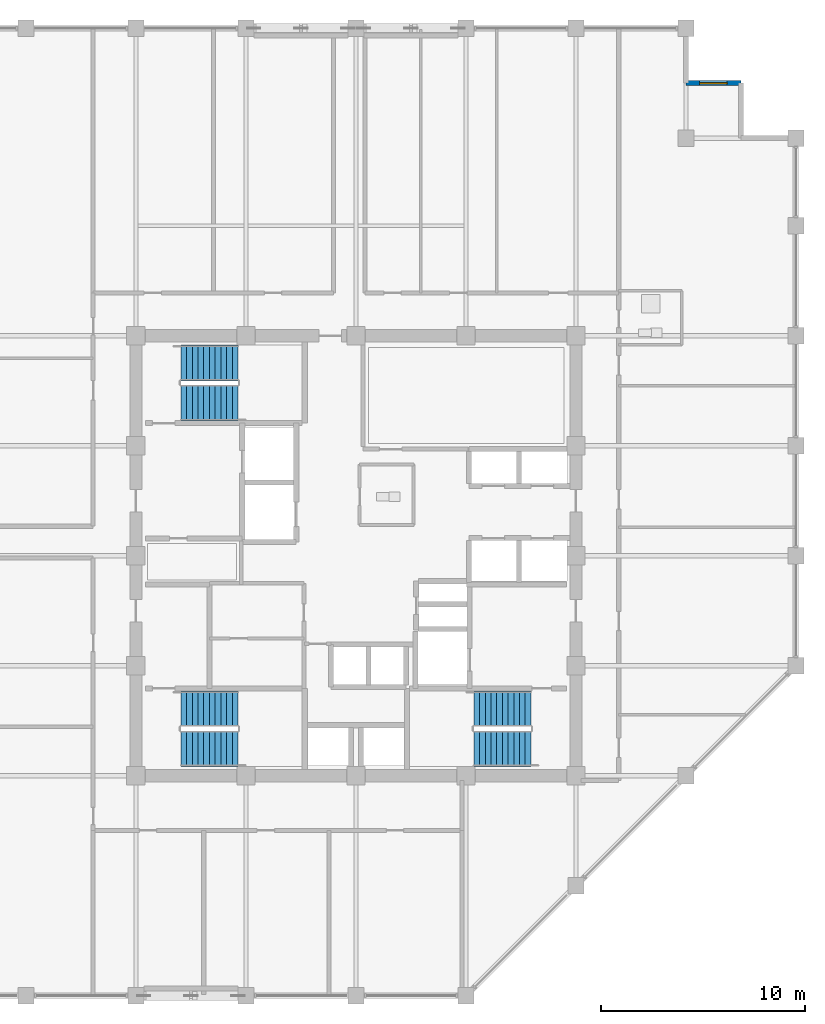
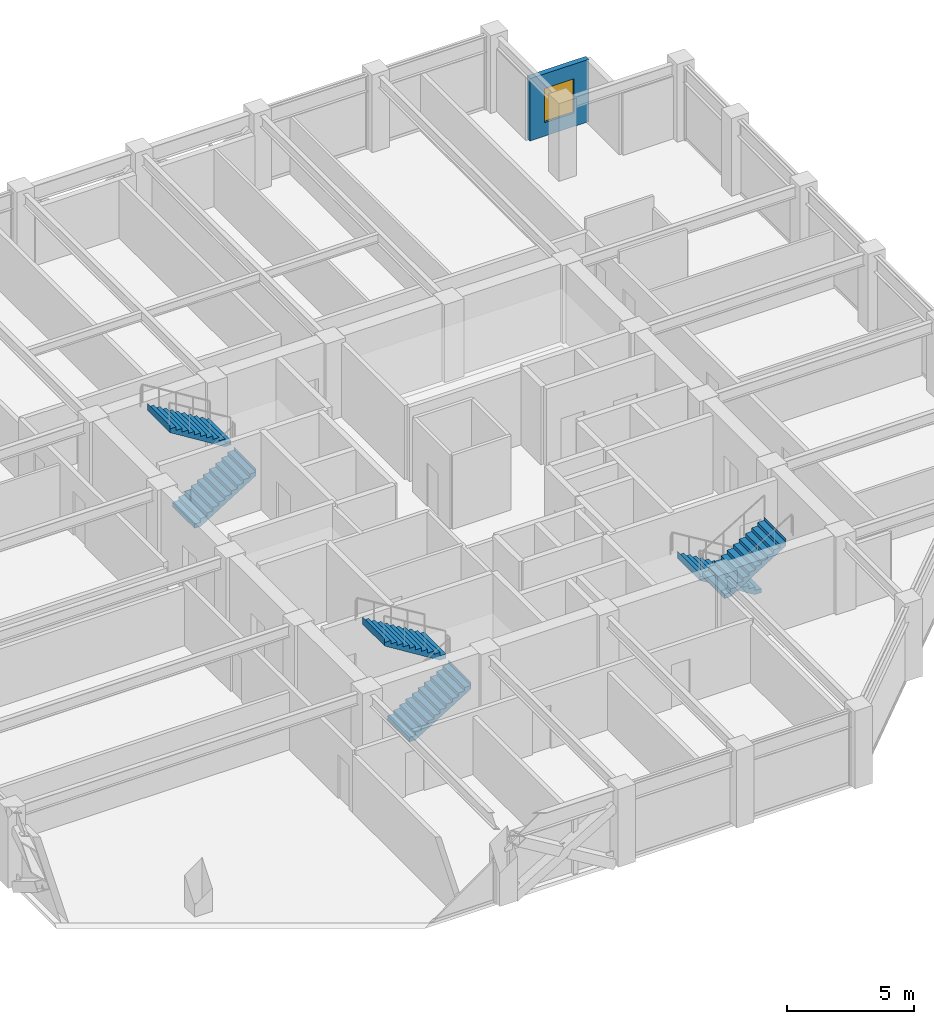
# One storey, part 30 of 32: 6 stair flights, 1 wall, 1 window, 1 opening, 3 elements without a shape of their own.
"""IFC4 building model written with IfcOpenShell, lengths in metres."""

from ifc_helpers import new_model, si_unit, direction, frame, frame_2d, origin, place, context, subcontext, project, spatial, polyline, rectangle, outline, extrude, material, layer, layer_set, type_object, element, fill, aggregate, save


model = new_model("IFC4")

# Units and contexts
model_context = context("Model", 3, precision=1e-05, world=origin(), true_north=direction((0.0, 1.0)))
body_context = subcontext(model_context, "Body", "Model", "MODEL_VIEW")
ifc_project = project(units=[si_unit("LENGTHUNIT", "METRE"), si_unit("AREAUNIT", "SQUARE_METRE"), si_unit("VOLUMEUNIT", "CUBIC_METRE"), si_unit("PLANEANGLEUNIT", "RADIAN"), si_unit("MASSUNIT", "GRAM", prefix="KILO")], contexts=[model_context])

# Site, building, storey
site_placement = place(None, origin())
site = spatial("IfcSite", under=ifc_project, at=site_placement, CompositionType="ELEMENT")
building_placement = place(site_placement, origin())
building = spatial("IfcBuilding", under=site, at=building_placement, Name="Surkhivell Harbour Commons", CompositionType="ELEMENT")
storey_placement = place(building_placement, frame((0.0, 0.0, 219.75)))
storey = spatial("IfcBuildingStorey", under=building, at=storey_placement, Name="L57", CompositionType="ELEMENT", Elevation=219.75)

# Wall, opening, window
ifc_material_1 = material(Name="Bronze-ochre cassette precast concrete C45/55", Category="concrete")
ifc_layer = layer(ifc_material_1, 0.239990234375)
ifc_layer_set = layer_set([ifc_layer], Name="Bronze-ochre cassette precast concrete C45/55")
wall_type = type_object("IfcWallType", Name="WAL-EXT-OCH240", PredefinedType="STANDARD", material=ifc_layer_set)
wall_placement = place(storey_placement, frame((18.89990234375, 23.199951171875, 0.0), z_axis=(0.0, 0.0, 1.0), x_axis=(-1.0, 0.0, 0.0)))
wall = element("IfcWall", 1, at=wall_placement, inside=storey, type_object=wall_type, Name="L57 Serrated Corner Facade Wall 05", PredefinedType="STANDARD", context=body_context, shape_type="SweptSolid", body=[
    extrude(rectangle(XDim=2.699951171875, YDim=0.239990234375, at=frame_2d((1.35009765625, 0.0))), origin(), (0.0, 0.0, 1.0), 3.006103515625),
])
opening_placement = place(wall_placement, frame((0.675048828125, 0.0, 0.64990234375)))
opening = element("IfcOpeningElement", 2, at=opening_placement, cuts=wall, Name="Opening WN-08", PredefinedType="OPENING", context=body_context, shape_type="SweptSolid", body=[
    extrude(rectangle(XDim=1.35009765625, YDim=1.64990234375, at=frame_2d((0.675048828125, 0.824951171875))), frame((0.0, 0.1298828125, 0.0), z_axis=(0.0, -1.0, 0.0), x_axis=(1.0, 0.0, 0.0)), (0.0, 0.0, 1.0), 0.260009765625),
])
ifc_material_2 = material(Name="Thermal-break aluminium frame and double low-E glazing", Category="aluminium")
window_type = type_object("IfcWindowType", Name="WIN-SER-1350x1650", PartitioningType="SINGLE_PANEL", PredefinedType="WINDOW", material=ifc_material_2)
window_placement = place(opening_placement, origin())
window = element("IfcWindow", 3, at=window_placement, inside=storey, type_object=window_type, Name="L57 Serrated Alcove Window 05", OverallHeight=1.64990234375, OverallWidth=1.35009765625, PartitioningType="SINGLE_PANEL", PredefinedType="WINDOW", context=body_context, shape_type="SweptSolid", body=[
    extrude(rectangle(XDim=1.35009765625, YDim=1.64990234375, at=frame_2d((0.675048828125, 0.824951171875))), frame((0.0, 0.030029296875, 0.0), z_axis=(0.0, -1.0, 0.0), x_axis=(1.0, 0.0, 0.0)), (0.0, 0.0, 1.0), 0.06005859375),
])
fill(opening, window)

# Stair, stair flights
ifc_material_3 = material(Name="Precast concrete C45/55", Category="concrete")
stair_type = type_object("IfcStairType", Name="STR-DL-375", PredefinedType="HALF_TURN_STAIR", material=ifc_material_3)
stair_1_placement = place(storey_placement, origin())
stair_1 = element("IfcStair", 4, at=stair_1_placement, inside=storey, type_object=stair_type, Name="L57 Core Exit Stair ST1", PredefinedType="HALF_TURN_STAIR")
stair_flight_type = type_object("IfcStairFlightType", Name="STF-DL-375", PredefinedType="STRAIGHT", material=ifc_material_3)
stair_flight_1_placement = place(storey_placement, frame((-8.590087890625, 7.514892578125, 0.0), z_axis=(0.0, 0.0, 1.0), x_axis=(1.0, 0.0, 0.0)))
stair_flight_1 = element("IfcStairFlight", 5, at=stair_flight_1_placement, type_object=stair_flight_type, Name="ST1 flight 1", NumberOfRisers=11, NumberOfTreads=10, PredefinedType="STRAIGHT", RiserHeight=0.170454545, TreadLength=0.28, context=body_context, shape_type="SweptSolid", body=[
    extrude(outline(polyline([(-0.0029296875, -0.034912109375), (-0.0029296875, 0.0), (0.0, 0.0), (0.0, 0.17041015625), (0.280029296875, 0.17041015625), (0.280029296875, 0.3408203125), (0.56005859375, 0.3408203125), (0.56005859375, 0.511474609375), (0.840087890625, 0.511474609375), (0.840087890625, 0.681884765625), (1.1201171875, 0.681884765625), (1.1201171875, 0.852294921875), (1.39990234375, 0.852294921875), (1.39990234375, 1.022705078125), (1.679931640625, 1.022705078125), (1.679931640625, 1.193115234375), (1.9599609375, 1.193115234375), (1.9599609375, 1.363525390625), (2.239990234375, 1.363525390625), (2.239990234375, 1.5341796875), (2.52001953125, 1.5341796875), (2.52001953125, 1.70458984375), (2.800048828125, 1.70458984375), (2.800048828125, 1.875), (2.802978515625, 1.875), (2.802978515625, 1.529052734375), (0.288330078125, -0.034912109375), (-0.0029296875, -0.034912109375)])), frame((0.0, 0.875, 0.0), z_axis=(0.0, -1.0, 0.0), x_axis=(1.0, 0.0, 0.0)), (0.0, 0.0, 1.0), 1.75),
])
stair_flight_2_placement = place(storey_placement, frame((-5.7900390625, 9.465087890625, 1.875), z_axis=(0.0, 0.0, 1.0), x_axis=(-1.0, 0.0, 0.0)))
stair_flight_2 = element("IfcStairFlight", 6, at=stair_flight_2_placement, type_object=stair_flight_type, Name="ST1 flight 2", NumberOfRisers=11, NumberOfTreads=10, PredefinedType="STRAIGHT", RiserHeight=0.170454545, TreadLength=0.28, context=body_context, shape_type="SweptSolid", body=[
    extrude(outline(polyline([(-0.0029296875, -0.034912109375), (-0.0029296875, 0.0), (0.0, 0.0), (0.0, 0.17041015625), (0.280029296875, 0.17041015625), (0.280029296875, 0.3408203125), (0.56005859375, 0.3408203125), (0.56005859375, 0.511474609375), (0.840087890625, 0.511474609375), (0.840087890625, 0.681884765625), (1.1201171875, 0.681884765625), (1.1201171875, 0.852294921875), (1.39990234375, 0.852294921875), (1.39990234375, 1.022705078125), (1.679931640625, 1.022705078125), (1.679931640625, 1.193115234375), (1.9599609375, 1.193115234375), (1.9599609375, 1.363525390625), (2.239990234375, 1.363525390625), (2.239990234375, 1.5341796875), (2.52001953125, 1.5341796875), (2.52001953125, 1.70458984375), (2.800048828125, 1.70458984375), (2.800048828125, 1.875), (2.802978515625, 1.875), (2.802978515625, 1.529052734375), (0.288330078125, -0.034912109375), (-0.0029296875, -0.034912109375)])), frame((0.0, 0.875, 0.0), z_axis=(0.0, -1.0, 0.0), x_axis=(1.0, 0.0, 0.0)), (0.0, 0.0, 1.0), 1.75),
])
aggregate(stair_1, [stair_flight_1, stair_flight_2])

stair_2_placement = place(storey_placement, origin())
stair_2 = element("IfcStair", 7, at=stair_2_placement, inside=storey, type_object=stair_type, Name="L57 Core Exit Stair ST2", PredefinedType="HALF_TURN_STAIR")
stair_flight_3_placement = place(storey_placement, frame((8.590087890625, -7.514892578125, 0.0), z_axis=(0.0, 0.0, 1.0), x_axis=(-1.0, 0.0, 0.0)))
stair_flight_3 = element("IfcStairFlight", 8, at=stair_flight_3_placement, type_object=stair_flight_type, Name="ST2 flight 1", NumberOfRisers=11, NumberOfTreads=10, PredefinedType="STRAIGHT", RiserHeight=0.170454545, TreadLength=0.28, context=body_context, shape_type="SweptSolid", body=[
    extrude(outline(polyline([(-0.0029296875, -0.034912109375), (-0.0029296875, 0.0), (0.0, 0.0), (0.0, 0.17041015625), (0.280029296875, 0.17041015625), (0.280029296875, 0.3408203125), (0.56005859375, 0.3408203125), (0.56005859375, 0.511474609375), (0.840087890625, 0.511474609375), (0.840087890625, 0.681884765625), (1.1201171875, 0.681884765625), (1.1201171875, 0.852294921875), (1.39990234375, 0.852294921875), (1.39990234375, 1.022705078125), (1.679931640625, 1.022705078125), (1.679931640625, 1.193115234375), (1.9599609375, 1.193115234375), (1.9599609375, 1.363525390625), (2.239990234375, 1.363525390625), (2.239990234375, 1.5341796875), (2.52001953125, 1.5341796875), (2.52001953125, 1.70458984375), (2.800048828125, 1.70458984375), (2.800048828125, 1.875), (2.802978515625, 1.875), (2.802978515625, 1.529052734375), (0.288330078125, -0.034912109375), (-0.0029296875, -0.034912109375)])), frame((0.0, 0.875, 0.0), z_axis=(0.0, -1.0, 0.0), x_axis=(1.0, 0.0, 0.0)), (0.0, 0.0, 1.0), 1.75),
])
stair_flight_4_placement = place(storey_placement, frame((5.7900390625, -9.465087890625, 1.875), z_axis=(0.0, 0.0, 1.0), x_axis=(1.0, 0.0, 0.0)))
stair_flight_4 = element("IfcStairFlight", 9, at=stair_flight_4_placement, type_object=stair_flight_type, Name="ST2 flight 2", NumberOfRisers=11, NumberOfTreads=10, PredefinedType="STRAIGHT", RiserHeight=0.170454545, TreadLength=0.28, context=body_context, shape_type="SweptSolid", body=[
    extrude(outline(polyline([(-0.0029296875, -0.034912109375), (-0.0029296875, 0.0), (0.0, 0.0), (0.0, 0.17041015625), (0.280029296875, 0.17041015625), (0.280029296875, 0.3408203125), (0.56005859375, 0.3408203125), (0.56005859375, 0.511474609375), (0.840087890625, 0.511474609375), (0.840087890625, 0.681884765625), (1.1201171875, 0.681884765625), (1.1201171875, 0.852294921875), (1.39990234375, 0.852294921875), (1.39990234375, 1.022705078125), (1.679931640625, 1.022705078125), (1.679931640625, 1.193115234375), (1.9599609375, 1.193115234375), (1.9599609375, 1.363525390625), (2.239990234375, 1.363525390625), (2.239990234375, 1.5341796875), (2.52001953125, 1.5341796875), (2.52001953125, 1.70458984375), (2.800048828125, 1.70458984375), (2.800048828125, 1.875), (2.802978515625, 1.875), (2.802978515625, 1.529052734375), (0.288330078125, -0.034912109375), (-0.0029296875, -0.034912109375)])), frame((0.0, 0.875, 0.0), z_axis=(0.0, -1.0, 0.0), x_axis=(1.0, 0.0, 0.0)), (0.0, 0.0, 1.0), 1.75),
])
aggregate(stair_2, [stair_flight_3, stair_flight_4])

stair_3_placement = place(storey_placement, origin())
stair_3 = element("IfcStair", 10, at=stair_3_placement, inside=storey, type_object=stair_type, Name="L57 Core Exit Stair ST3", PredefinedType="HALF_TURN_STAIR")
stair_flight_5_placement = place(storey_placement, frame((-8.590087890625, -9.465087890625, 0.0), z_axis=(0.0, 0.0, 1.0), x_axis=(1.0, 0.0, 0.0)))
stair_flight_5 = element("IfcStairFlight", 11, at=stair_flight_5_placement, type_object=stair_flight_type, Name="ST3 flight 1", NumberOfRisers=11, NumberOfTreads=10, PredefinedType="STRAIGHT", RiserHeight=0.170454545, TreadLength=0.28, context=body_context, shape_type="SweptSolid", body=[
    extrude(outline(polyline([(-0.0029296875, -0.034912109375), (-0.0029296875, 0.0), (0.0, 0.0), (0.0, 0.17041015625), (0.280029296875, 0.17041015625), (0.280029296875, 0.3408203125), (0.56005859375, 0.3408203125), (0.56005859375, 0.511474609375), (0.840087890625, 0.511474609375), (0.840087890625, 0.681884765625), (1.1201171875, 0.681884765625), (1.1201171875, 0.852294921875), (1.39990234375, 0.852294921875), (1.39990234375, 1.022705078125), (1.679931640625, 1.022705078125), (1.679931640625, 1.193115234375), (1.9599609375, 1.193115234375), (1.9599609375, 1.363525390625), (2.239990234375, 1.363525390625), (2.239990234375, 1.5341796875), (2.52001953125, 1.5341796875), (2.52001953125, 1.70458984375), (2.800048828125, 1.70458984375), (2.800048828125, 1.875), (2.802978515625, 1.875), (2.802978515625, 1.529052734375), (0.288330078125, -0.034912109375), (-0.0029296875, -0.034912109375)])), frame((0.0, 0.875, 0.0), z_axis=(0.0, -1.0, 0.0), x_axis=(1.0, 0.0, 0.0)), (0.0, 0.0, 1.0), 1.75),
])
stair_flight_6_placement = place(storey_placement, frame((-5.7900390625, -7.514892578125, 1.875), z_axis=(0.0, 0.0, 1.0), x_axis=(-1.0, 0.0, 0.0)))
stair_flight_6 = element("IfcStairFlight", 12, at=stair_flight_6_placement, type_object=stair_flight_type, Name="ST3 flight 2", NumberOfRisers=11, NumberOfTreads=10, PredefinedType="STRAIGHT", RiserHeight=0.170454545, TreadLength=0.28, context=body_context, shape_type="SweptSolid", body=[
    extrude(outline(polyline([(-0.0029296875, -0.034912109375), (-0.0029296875, 0.0), (0.0, 0.0), (0.0, 0.17041015625), (0.280029296875, 0.17041015625), (0.280029296875, 0.3408203125), (0.56005859375, 0.3408203125), (0.56005859375, 0.511474609375), (0.840087890625, 0.511474609375), (0.840087890625, 0.681884765625), (1.1201171875, 0.681884765625), (1.1201171875, 0.852294921875), (1.39990234375, 0.852294921875), (1.39990234375, 1.022705078125), (1.679931640625, 1.022705078125), (1.679931640625, 1.193115234375), (1.9599609375, 1.193115234375), (1.9599609375, 1.363525390625), (2.239990234375, 1.363525390625), (2.239990234375, 1.5341796875), (2.52001953125, 1.5341796875), (2.52001953125, 1.70458984375), (2.800048828125, 1.70458984375), (2.800048828125, 1.875), (2.802978515625, 1.875), (2.802978515625, 1.529052734375), (0.288330078125, -0.034912109375), (-0.0029296875, -0.034912109375)])), frame((0.0, 0.875, 0.0), z_axis=(0.0, -1.0, 0.0), x_axis=(1.0, 0.0, 0.0)), (0.0, 0.0, 1.0), 1.75),
])
aggregate(stair_3, [stair_flight_5, stair_flight_6])

save(model, "model.ifc")
